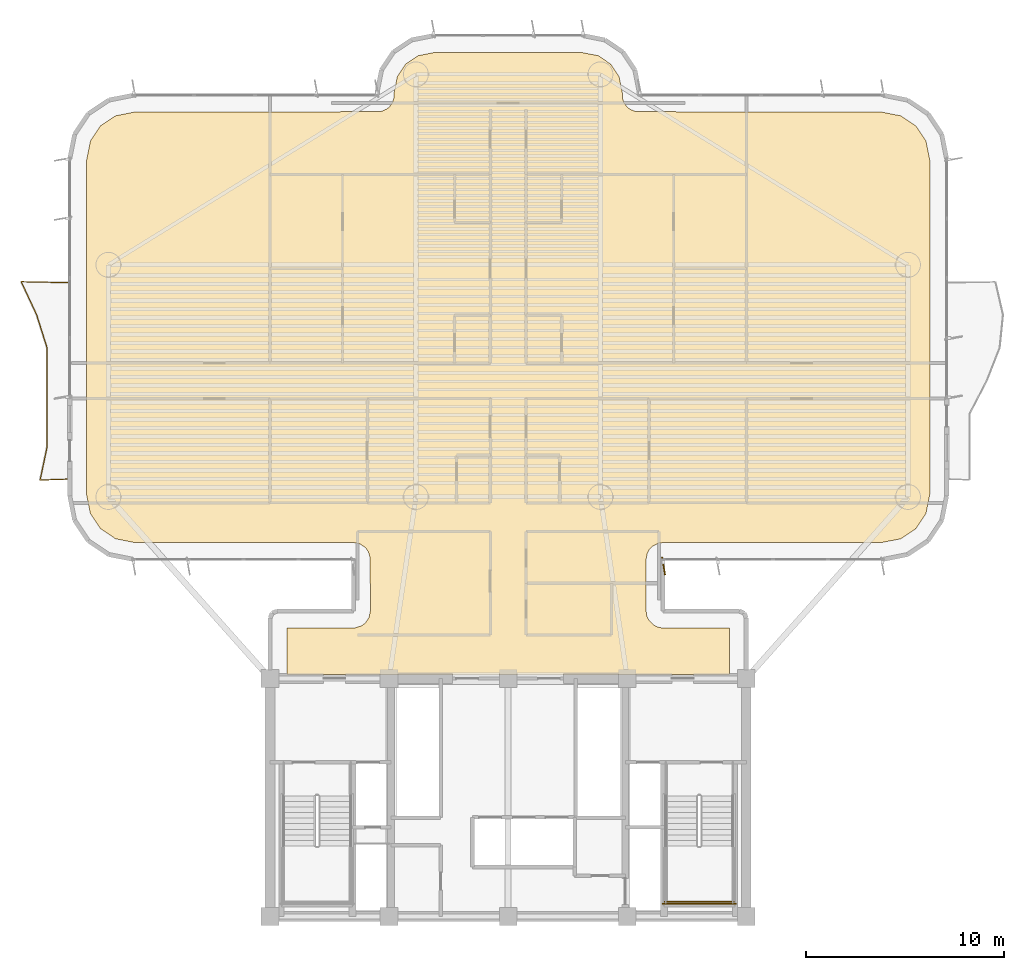
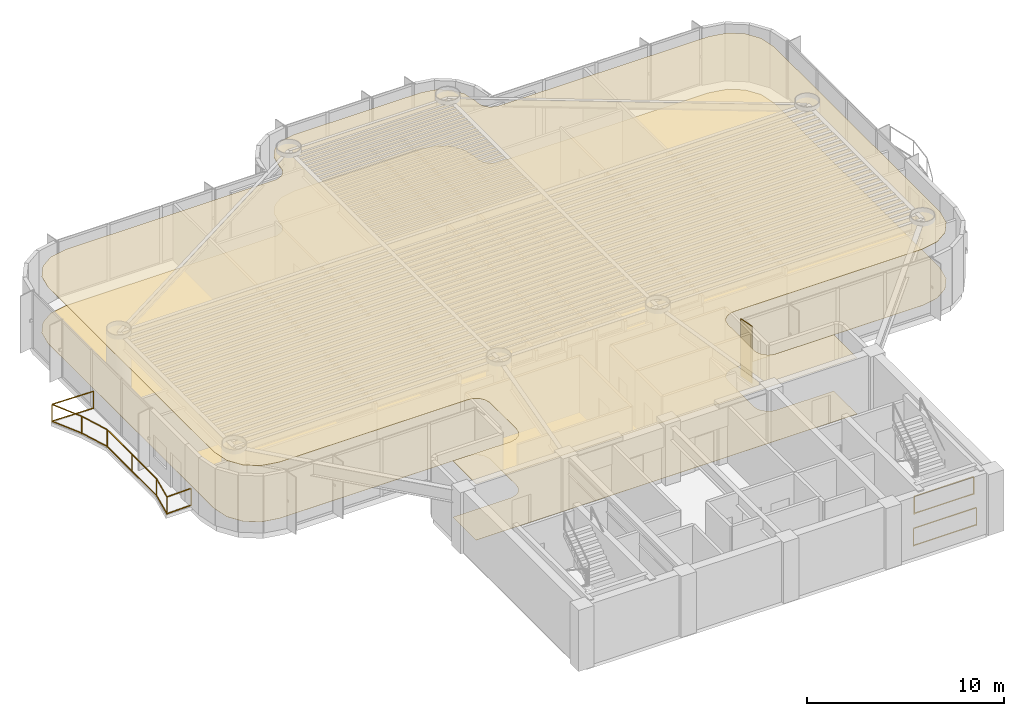
# One storey, part 15 of 17: 3 railings, 2 coverings, 1 shading device.
"""IFC4 building model written with IfcOpenShell, lengths in metres."""

from ifc_helpers import new_model, si_unit, direction, frame, origin, origin_2d, place, context, subcontext, project, spatial, polyline, rectangle, outline, extrude, source, transform, mapped, material, layer, layer_set, material_profile, profile_set, type_object, element, save


model = new_model("IFC4")

# Units and contexts
model_context = context("Model", 3, precision=1e-05, world=origin(), true_north=direction((0.0, 1.0)))
body_context = subcontext(model_context, "Body", "Model", "MODEL_VIEW")
ifc_project = project(units=[si_unit("LENGTHUNIT", "METRE"), si_unit("AREAUNIT", "SQUARE_METRE"), si_unit("VOLUMEUNIT", "CUBIC_METRE"), si_unit("PLANEANGLEUNIT", "RADIAN"), si_unit("MASSUNIT", "GRAM", prefix="KILO")], contexts=[model_context])

# Site, building, storey
site_placement = place(None, origin())
site = spatial("IfcSite", under=ifc_project, at=site_placement, CompositionType="ELEMENT")
building_placement = place(site_placement, origin())
building = spatial("IfcBuilding", under=site, at=building_placement, Name="Brelvock Crest Care Tower", CompositionType="ELEMENT")
storey_placement = place(building_placement, frame((0.0, 0.0, 89.820068359375)))
storey = spatial("IfcBuildingStorey", under=building, at=storey_placement, Name="L22", CompositionType="ELEMENT", Elevation=89.820068359375)

# Coverings
ifc_material_1 = material(Name="Mineral Fibre Acoustic Ceiling Tile", Category="gypsum")
ifc_layer_1 = layer(ifc_material_1, 0.02490234375, Name="COV-CLG1")
ifc_layer_set_1 = layer_set([ifc_layer_1], Name="Mineral Fibre Acoustic Ceiling Tile")
covering_type_1 = type_object("IfcCoveringType", Name="COV-CLG1", PredefinedType="CEILING", material=ifc_layer_set_1)
covering_1_placement = place(storey_placement, frame((0.0, 0.0, 3.474853515625)))
element("IfcCovering", 1, at=covering_1_placement, inside=storey, type_object=covering_type_1, Name="L22 Acoustic Suspended Ceiling 1", PredefinedType="CEILING", context=body_context, shape_type="SweptSolid", body=[
    extrude(outline(polyline([(24.85009765625, 18.199951171875), (47.14990234375, 18.199951171875), (47.14990234375, 20.550048828125), (43.716796875, 20.55419921875), (43.55322265625, 20.586669921875), (43.327880859375, 20.693359375), (43.09326171875, 20.927734375), (42.986572265625, 21.1533203125), (42.949951171875, 21.39990234375), (42.949951171875, 24.0), (43.0146484375, 24.3251953125), (43.09326171875, 24.47216796875), (43.2607421875, 24.656982421875), (43.55322265625, 24.8134765625), (43.800048828125, 24.85009765625), (54.81640625, 24.85009765625), (55.79296875, 25.044189453125), (56.5498046875, 25.550048828125), (57.0556640625, 26.30712890625), (57.25, 27.28369140625), (57.25, 44.1162109375), (57.0556640625, 45.093017578125), (56.5498046875, 45.849853515625), (55.79296875, 46.355712890625), (54.81640625, 46.550048828125), (42.43408203125, 46.56640625), (42.127685546875, 46.693359375), (41.9990234375, 46.799072265625), (41.850341796875, 46.999267578125), (41.766357421875, 47.234130859375), (41.75, 47.516357421875), (41.586181640625, 48.33984375), (41.1669921875, 48.967041015625), (40.539794921875, 49.38623046875), (39.71630859375, 49.550048828125), (32.28369140625, 49.550048828125), (31.460205078125, 49.38623046875), (30.8330078125, 48.967041015625), (30.413818359375, 48.33984375), (30.25, 47.516357421875), (30.233642578125, 47.234130859375), (30.149658203125, 46.999267578125), (30.0009765625, 46.799072265625), (29.872314453125, 46.693359375), (29.56591796875, 46.56640625), (17.18359375, 46.550048828125), (16.20703125, 46.355712890625), (15.4501953125, 45.849853515625), (14.9443359375, 45.093017578125), (14.75, 44.1162109375), (14.75, 27.28369140625), (14.9443359375, 26.30712890625), (15.4501953125, 25.550048828125), (16.20703125, 25.044189453125), (17.18359375, 24.85009765625), (28.199951171875, 24.85009765625), (28.525390625, 24.785400390625), (28.801025390625, 24.60107421875), (28.94970703125, 24.400634765625), (29.0458984375, 24.083251953125), (29.050048828125, 21.39990234375), (28.9853515625, 21.07470703125), (28.801025390625, 20.799072265625), (28.6005859375, 20.650390625), (28.283203125, 20.55419921875), (24.85009765625, 20.550048828125), (24.85009765625, 18.199951171875)])), origin(), (0.0, 0.0, 1.0), 0.025146484375),
])
ifc_material_2 = material(Name="Slip-Resistant Acoustic Vinyl Flooring", Category="finish")
ifc_layer_2 = layer(ifc_material_2, 0.014892578125, Name="COV-FLR1")
ifc_layer_set_2 = layer_set([ifc_layer_2], Name="Slip-Resistant Acoustic Vinyl Flooring")
covering_type_2 = type_object("IfcCoveringType", Name="COV-FLR1", PredefinedType="FLOORING", material=ifc_layer_set_2)
covering_2_placement = place(storey_placement, origin())
element("IfcCovering", 2, at=covering_2_placement, inside=storey, type_object=covering_type_2, Name="L22 Slip-Resistant Acoustic Flooring 1", PredefinedType="FLOORING", context=body_context, shape_type="SweptSolid", body=[
    extrude(outline(polyline([(24.85009765625, 18.199951171875), (47.14990234375, 18.199951171875), (47.14990234375, 20.550048828125), (43.716796875, 20.55419921875), (43.55322265625, 20.586669921875), (43.327880859375, 20.693359375), (43.09326171875, 20.927734375), (42.986572265625, 21.1533203125), (42.949951171875, 21.39990234375), (42.949951171875, 24.0), (43.0146484375, 24.3251953125), (43.09326171875, 24.47216796875), (43.2607421875, 24.656982421875), (43.55322265625, 24.8134765625), (43.800048828125, 24.85009765625), (54.81640625, 24.85009765625), (55.79296875, 25.044189453125), (56.5498046875, 25.550048828125), (57.0556640625, 26.30712890625), (57.25, 27.28369140625), (57.25, 44.1162109375), (57.0556640625, 45.093017578125), (56.5498046875, 45.849853515625), (55.79296875, 46.355712890625), (54.81640625, 46.550048828125), (42.43408203125, 46.56640625), (42.127685546875, 46.693359375), (41.9990234375, 46.799072265625), (41.850341796875, 46.999267578125), (41.766357421875, 47.234130859375), (41.75, 47.516357421875), (41.586181640625, 48.33984375), (41.1669921875, 48.967041015625), (40.539794921875, 49.38623046875), (39.71630859375, 49.550048828125), (32.28369140625, 49.550048828125), (31.460205078125, 49.38623046875), (30.8330078125, 48.967041015625), (30.413818359375, 48.33984375), (30.25, 47.516357421875), (30.233642578125, 47.234130859375), (30.149658203125, 46.999267578125), (30.0009765625, 46.799072265625), (29.872314453125, 46.693359375), (29.56591796875, 46.56640625), (17.18359375, 46.550048828125), (16.20703125, 46.355712890625), (15.4501953125, 45.849853515625), (14.9443359375, 45.093017578125), (14.75, 44.1162109375), (14.75, 27.28369140625), (14.9443359375, 26.30712890625), (15.4501953125, 25.550048828125), (16.20703125, 25.044189453125), (17.18359375, 24.85009765625), (28.199951171875, 24.85009765625), (28.525390625, 24.785400390625), (28.801025390625, 24.60107421875), (28.94970703125, 24.400634765625), (29.0458984375, 24.083251953125), (29.050048828125, 21.39990234375), (28.9853515625, 21.07470703125), (28.801025390625, 20.799072265625), (28.6005859375, 20.650390625), (28.283203125, 20.55419921875), (24.85009765625, 20.550048828125), (24.85009765625, 18.199951171875)])), origin(), (0.0, 0.0, 1.0), 0.014892578125),
])

# Railings
ifc_material_3 = material(Name="Dark Glass Double Glazed Low-E", Category="glass")
ifc_layer_3 = layer(ifc_material_3, 0.06005859375, Name="RL-BAL1")
ifc_layer_set_3 = layer_set([ifc_layer_3], Name="Dark Glass Double Glazed Low-E")
railing_type_1 = type_object("IfcRailingType", Name="RL-BAL1", PredefinedType="BALUSTRADE", material=ifc_layer_set_3)
railing_1_placement = place(storey_placement, frame((13.860107421875, 28.050048828125, 0.00390625)))
element("IfcRailing", 3, at=railing_1_placement, inside=storey, type_object=railing_type_1, Name="L22 Safety Balustrade WB-W", PredefinedType="BALUSTRADE", context=body_context, shape_type="SweptSolid", body=[
    extrude(rectangle(XDim=0.048095703125, YDim=0.048095703125, at=origin_2d()), frame((-0.001953125, 0.0, 1.09619140625), z_axis=(-0.999404999824, -0.034491249994, 0.0), x_axis=(0.034491249994, -0.999404999824, 0.0)), (0.0, 0.0, 1.0), 1.447021484375),
    extrude(rectangle(XDim=0.048095703125, YDim=0.048095703125, at=origin_2d()), frame((-0.001953125, 0.0, 0.054931640625), z_axis=(-0.999404999824, -0.034491249994, 0.0), x_axis=(0.034491249994, -0.999404999824, 0.0)), (0.0, 0.0, 1.0), 1.447021484375),
    extrude(rectangle(XDim=0.048095703125, YDim=0.048095703125, at=origin_2d()), frame((-1.44970703125, -0.048095703125, 1.09619140625), z_axis=(0.205562541209, 0.978643981053, 0.0), x_axis=(-0.978643981053, 0.205562541209, 0.0)), (0.0, 0.0, 1.0), 1.69921875),
    extrude(rectangle(XDim=0.048095703125, YDim=0.048095703125, at=origin_2d()), frame((-1.44970703125, -0.048095703125, 0.054931640625), z_axis=(0.205562541209, 0.978643981053, 0.0), x_axis=(-0.978643981053, 0.205562541209, 0.0)), (0.0, 0.0, 1.0), 1.69921875),
    extrude(rectangle(XDim=0.048095703125, YDim=0.048095703125, at=origin_2d()), frame((-1.10009765625, 1.61865234375, 1.09619140625), z_axis=(0.0, 1.0, 0.0), x_axis=(-1.0, 0.0, 0.0)), (0.0, 0.0, 1.0), 4.99609375),
    extrude(rectangle(XDim=0.048095703125, YDim=0.048095703125, at=origin_2d()), frame((-1.10009765625, 1.61865234375, 0.054931640625), z_axis=(0.0, 1.0, 0.0), x_axis=(-1.0, 0.0, 0.0)), (0.0, 0.0, 1.0), 4.99609375),
    extrude(rectangle(XDim=0.048095703125, YDim=0.048095703125, at=origin_2d()), frame((-1.1005859375, 6.61865234375, 1.09619140625), z_axis=(-0.30105782115, 0.953605887316, 0.0), x_axis=(-0.953605887316, -0.30105782115, 0.0)), (0.0, 0.0, 1.0), 1.74365234375),
    extrude(rectangle(XDim=0.048095703125, YDim=0.048095703125, at=origin_2d()), frame((-1.1005859375, 6.61865234375, 0.054931640625), z_axis=(-0.30105782115, 0.953605887316, 0.0), x_axis=(-0.953605887316, -0.30105782115, 0.0)), (0.0, 0.0, 1.0), 1.74365234375),
    extrude(rectangle(XDim=0.048095703125, YDim=0.048095703125, at=origin_2d()), frame((-1.626953125, 8.284912109375, 1.09619140625), z_axis=(-0.423219639169, 0.906027117156, 0.0), x_axis=(-0.906027117156, -0.423219639169, 0.0)), (0.0, 0.0, 1.0), 1.835693359375),
    extrude(rectangle(XDim=0.048095703125, YDim=0.048095703125, at=origin_2d()), frame((-1.626953125, 8.284912109375, 0.054931640625), z_axis=(-0.423219639169, 0.906027117156, 0.0), x_axis=(-0.906027117156, -0.423219639169, 0.0)), (0.0, 0.0, 1.0), 1.835693359375),
    extrude(rectangle(XDim=0.048095703125, YDim=0.048095703125, at=origin_2d()), frame((-2.40283203125, 9.949951171875, 1.09619140625), z_axis=(0.999783496855, -0.020807676838, 0.0), x_axis=(0.020807676838, 0.999783496855, 0.0)), (0.0, 0.0, 1.0), 2.4013671875),
    extrude(rectangle(XDim=0.048095703125, YDim=0.048095703125, at=origin_2d()), frame((-2.40283203125, 9.949951171875, 0.054931640625), z_axis=(0.999783496855, -0.020807676838, 0.0), x_axis=(0.020807676838, 0.999783496855, 0.0)), (0.0, 0.0, 1.0), 2.4013671875),
    extrude(rectangle(XDim=0.0419921875, YDim=0.0419921875, at=origin_2d()), origin(), (0.0, 0.0, 1.0), 1.070068359375),
    extrude(rectangle(XDim=0.0419921875, YDim=0.0419921875, at=origin_2d()), frame((-1.4501953125, -0.050048828125, 0.0)), (0.0, 0.0, 1.0), 1.070068359375),
    extrude(rectangle(XDim=0.0419921875, YDim=0.0419921875, at=origin_2d()), frame((-1.10009765625, 1.61669921875, 0.0)), (0.0, 0.0, 1.0), 1.070068359375),
    extrude(rectangle(XDim=0.0419921875, YDim=0.0419921875, at=origin_2d()), frame((-1.10009765625, 4.11669921875, 0.0)), (0.0, 0.0, 1.0), 1.070068359375),
    extrude(rectangle(XDim=0.0419921875, YDim=0.0419921875, at=origin_2d()), frame((-1.10009765625, 6.61669921875, 0.0)), (0.0, 0.0, 1.0), 1.070068359375),
    extrude(rectangle(XDim=0.0419921875, YDim=0.0419921875, at=origin_2d()), frame((-1.626220703125, 8.283203125, 0.0)), (0.0, 0.0, 1.0), 1.070068359375),
    extrude(rectangle(XDim=0.0419921875, YDim=0.0419921875, at=origin_2d()), frame((-2.40478515625, 9.949951171875, 0.0)), (0.0, 0.0, 1.0), 1.070068359375),
    extrude(rectangle(XDim=0.0419921875, YDim=0.0419921875, at=origin_2d()), frame((0.0, 9.89990234375, 0.0)), (0.0, 0.0, 1.0), 1.070068359375),
])
ifc_material_4 = material(Name="Steel Grade 350", Category="steel")
ifc_layer_4 = layer(ifc_material_4, 0.050048828125, Name="RL-STG1")
ifc_layer_set_4 = layer_set([ifc_layer_4], Name="Steel Grade 350")
railing_type_2 = type_object("IfcRailingType", Name="RL-STG1", PredefinedType="GUARDRAIL", material=ifc_layer_set_4)
railing_2_placement = place(storey_placement, frame((43.889892578125, 6.75, 1.889892578125)))
element("IfcRailing", 4, at=railing_2_placement, inside=storey, type_object=railing_type_2, Name="L22 ST-2 stair guard 5", PredefinedType="GUARDRAIL", context=body_context, shape_type="SweptSolid", body=[
    extrude(rectangle(XDim=0.048095703125, YDim=0.048095703125, at=origin_2d()), frame((0.001953125, 0.0, 1.11572265625), z_axis=(1.0, 0.0, 0.0), x_axis=(0.0, 1.0, 0.0)), (0.0, 0.0, 1.0), 3.476318359375),
    extrude(rectangle(XDim=0.048095703125, YDim=0.048095703125, at=origin_2d()), frame((0.001953125, 0.0, 0.054931640625), z_axis=(1.0, 0.0, 0.0), x_axis=(0.0, 1.0, 0.0)), (0.0, 0.0, 1.0), 3.476318359375),
    extrude(rectangle(XDim=0.0419921875, YDim=0.0419921875, at=origin_2d()), origin(), (0.0, 0.0, 1.0), 1.08984375),
    extrude(rectangle(XDim=0.0419921875, YDim=0.0419921875, at=origin_2d()), frame((3.480224609375, 0.0, 0.0)), (0.0, 0.0, 1.0), 1.08984375),
])
railing_3_placement = place(storey_placement, frame((43.7900390625, 6.64990234375, 0.0)))
element("IfcRailing", 5, at=railing_3_placement, inside=storey, type_object=railing_type_2, Name="L22 ST-2 stair guard 12", PredefinedType="GUARDRAIL", context=body_context, shape_type="SweptSolid", body=[
    extrude(rectangle(XDim=0.048095703125, YDim=0.048095703125, at=origin_2d()), frame((0.001953125, 0.0, 1.11572265625), z_axis=(1.0, 0.0, 0.0), x_axis=(0.0, 1.0, 0.0)), (0.0, 0.0, 1.0), 3.676025390625),
    extrude(rectangle(XDim=0.048095703125, YDim=0.048095703125, at=origin_2d()), frame((0.001953125, 0.0, 0.054931640625), z_axis=(1.0, 0.0, 0.0), x_axis=(0.0, 1.0, 0.0)), (0.0, 0.0, 1.0), 3.676025390625),
    extrude(rectangle(XDim=0.0419921875, YDim=0.0419921875, at=origin_2d()), origin(), (0.0, 0.0, 1.0), 1.08984375),
    extrude(rectangle(XDim=0.0419921875, YDim=0.0419921875, at=origin_2d()), frame((3.679931640625, 0.0, 0.0)), (0.0, 0.0, 1.0), 1.08984375),
])

# Shading device
ifc_material_5 = material(Name="Aluminium 6063-T6", Category="aluminium")
ifc_material_profile = material_profile(ifc_material_5, rectangle(XDim=0.054931640625, YDim=0.89990234375, at=origin_2d()), Name="FIN55x900")
ifc_profile_set = profile_set([ifc_material_profile], Name="Aluminium 6063-T6")
shading_device_type = type_object("IfcShadingDeviceType", Name="SHD-FIN1", PredefinedType="USERDEFINED", material=ifc_profile_set)
shared_shape = source(origin(), body_context, "Body", "SweptSolid", [
    extrude(rectangle(XDim=0.054931640625, YDim=0.89990234375, at=origin_2d()), origin(), (0.0, 0.0, 1.0), 3.530029296875),
])
shading_device_placement = place(storey_placement, frame((43.830078125, 23.659912109375, 0.0), z_axis=(0.0, 0.0, 1.0), x_axis=(-0.984807753012, -0.173648177667, 0.0)))
element("IfcShadingDevice", 6, at=shading_device_placement, inside=storey, type_object=shading_device_type, Name="L22 Vertical Sunshade Fin E44-05", ObjectType="FIN", PredefinedType="USERDEFINED", context=body_context, shape_type="MappedRepresentation", body=[
    mapped(shared_shape, transform((0.0, 0.0, 0.0), x_axis=(1.0, 0.0, 0.0), y_axis=(0.0, 1.0, 0.0), z_axis=(0.0, 0.0, 1.0), scale=1.0)),
])

save(model, "model.ifc")
